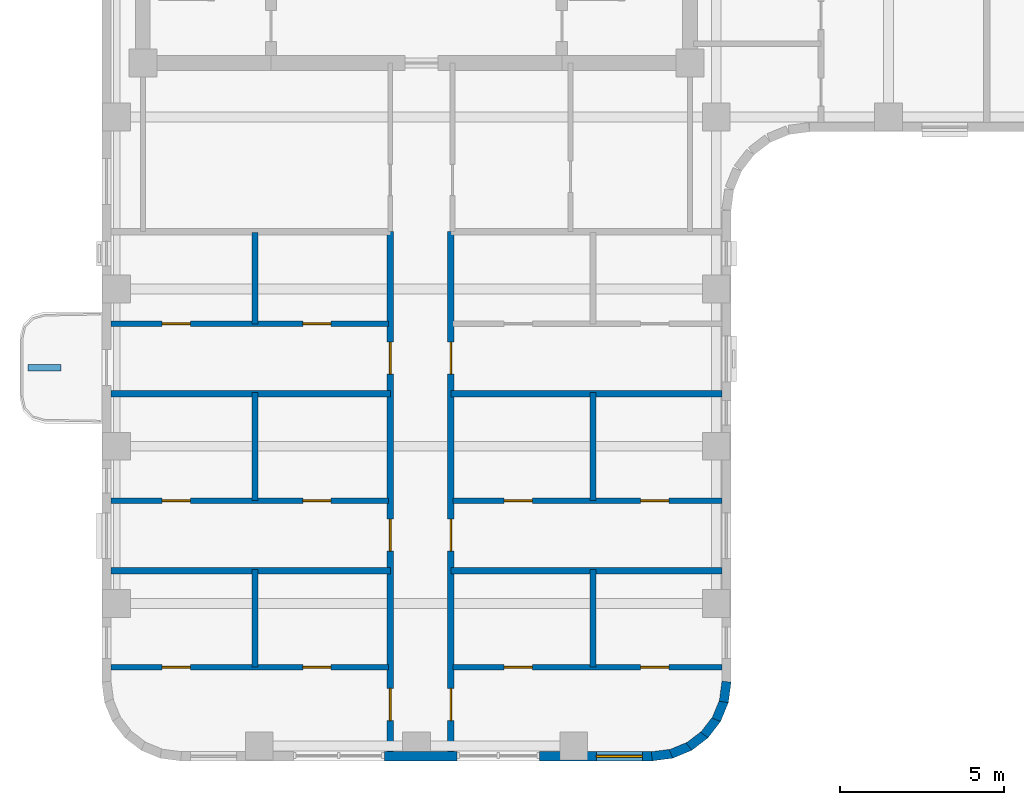
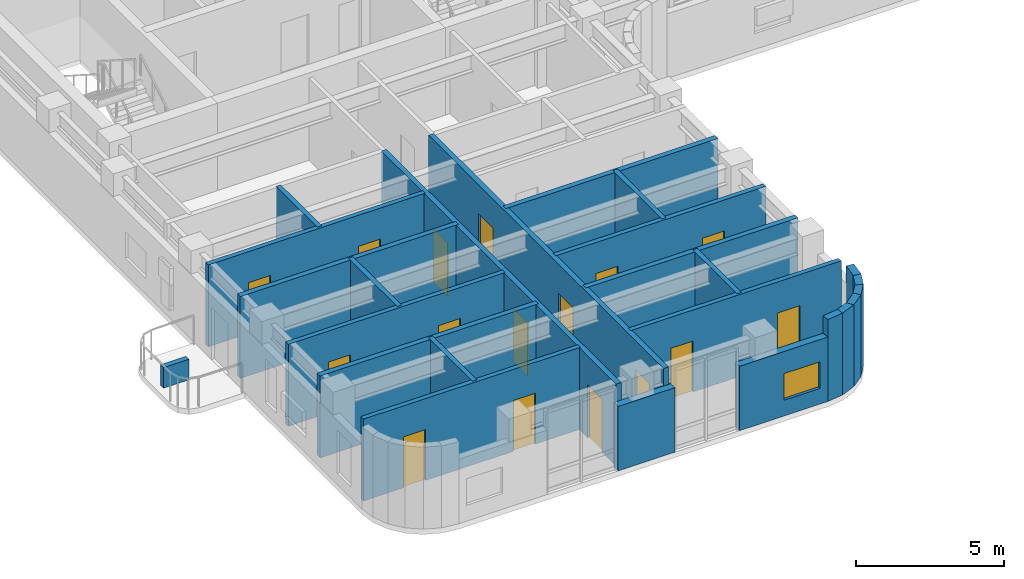
# One storey, part 4 of 12: 25 walls, 16 doors, 1 window, 17 openings.
"""IFC4 building model written with IfcOpenShell, lengths in metres."""

import ifcopenshell
import ifcopenshell.guid

model = None  # the IFC model being written
_history = None  # IfcOwnerHistory: only IFC2X3 demands one
_inside = {}  # id of a spatial element -> (the spatial element, [elements in it])
_under = {}  # id of a project, library or spatial element -> (it, [spatial elements below it])
_declared = {}  # id of a project -> (the project, [libraries it declares])
_typed = {}  # id of a type object -> (the type object, [elements of that type])
_made_of = {}  # id of a material, layer set ... -> (it, [elements and type objects made of it])


def new_model(schema):
    """Start an empty IFC model of exactly this schema.

    Asked for "IFC4X3", IfcOpenShell would pick the latest addendum, in which some entities
    have other attributes; the version numbers below select the first issue.
    IFC2X3 requires an IfcOwnerHistory on every rooted entity: one is made here for all.
    """
    global model, _history
    if schema == "IFC4X3":
        model = ifcopenshell.file(schema_version=(4, 3, 0, 0))
    else:
        model = ifcopenshell.file(schema=schema)
    _inside.clear()
    _under.clear()
    _declared.clear()
    _typed.clear()
    _made_of.clear()
    _history = None
    if model.schema == "IFC2X3":
        org = make("IfcOrganization", Name="unknown")
        user = make(
            "IfcPersonAndOrganization",
            ThePerson=make("IfcPerson", FamilyName="unknown"),
            TheOrganization=org,
        )
        app = make(
            "IfcApplication",
            ApplicationDeveloper=org,
            Version="unknown",
            ApplicationFullName="unknown",
            ApplicationIdentifier="unknown",
        )
        _history = make(
            "IfcOwnerHistory",
            OwningUser=user,
            OwningApplication=app,
            ChangeAction="ADDED",
            CreationDate=0,
        )
    return model


def make(cls, **values):
    """One entity of the class cls with the attributes given. An attribute that is None is left unset."""
    return model.create_entity(
        cls, **{name: value for name, value in values.items() if value is not None}
    )


def rooted(cls, **values):
    """An entity with a GlobalId (a new one), such as an element, a storey or a relation."""
    return make(cls, GlobalId=ifcopenshell.guid.new(), OwnerHistory=_history, **values)


def si_unit(unit_type, name, prefix=None):
    """IfcSIUnit, for example si_unit("LENGTHUNIT", "METRE", prefix="MILLI")."""
    return make("IfcSIUnit", UnitType=unit_type, Prefix=prefix, Name=name)


def assignment(units):
    """IfcUnitAssignment: the units of a project."""
    return None if units is None else make("IfcUnitAssignment", Units=units)


def point(xyz):
    """IfcCartesianPoint."""
    return None if xyz is None else make("IfcCartesianPoint", Coordinates=xyz)


def direction(xyz):
    """IfcDirection."""
    return None if xyz is None else make("IfcDirection", DirectionRatios=xyz)


def frame(location, z_axis=None, x_axis=None):
    """IfcAxis2Placement3D, a coordinate frame: its origin and axes. An axis left out is left unset."""
    return make(
        "IfcAxis2Placement3D",
        Location=point(location),
        Axis=direction(z_axis),
        RefDirection=direction(x_axis),
    )


def frame_2d(location, x_axis=None):
    """IfcAxis2Placement2D, a coordinate frame in the plane: its origin and x axis."""
    return make(
        "IfcAxis2Placement2D", Location=point(location), RefDirection=direction(x_axis)
    )


def origin():
    """The frame at (0, 0, 0) with its axes left unset."""
    return frame((0.0, 0.0, 0.0))


def place(relative_to, where):
    """IfcLocalPlacement: puts the frame where relative to a parent placement (None: the world)."""
    return make(
        "IfcLocalPlacement", PlacementRelTo=relative_to, RelativePlacement=where
    )


def context(
    kind, dimensions, precision=None, world=None, true_north=None, identifier=None
):
    """IfcGeometricRepresentationContext, for example the 3D "Model" context."""
    return make(
        "IfcGeometricRepresentationContext",
        ContextIdentifier=identifier,
        ContextType=kind,
        CoordinateSpaceDimension=dimensions,
        Precision=precision,
        WorldCoordinateSystem=world,
        TrueNorth=true_north,
    )


def subcontext(parent, identifier, kind, view, scale=None):
    """IfcGeometricRepresentationSubContext, for example "Body" below "Model"."""
    return make(
        "IfcGeometricRepresentationSubContext",
        ContextIdentifier=identifier,
        ContextType=kind,
        ParentContext=parent,
        TargetScale=scale,
        TargetView=view,
    )


def project(units=None, contexts=None):
    """IfcProject with its units and contexts."""
    return rooted(
        "IfcProject",
        Name="project",
        RepresentationContexts=contexts,
        UnitsInContext=assignment(units),
    )


def spatial(cls, under=None, at=None, **own):
    """A site, building, storey or space (cls), placed at a placement, below another one or the project."""
    s = rooted(cls, ObjectPlacement=at, **own)
    if under is not None:
        _under.setdefault(under.id(), (under, []))[1].append(s)
    return s


def profile(cls, at=None, kind="AREA", **sizes):
    """A parametric profile (cls). Its sizes go by their IFC names, for example OverallWidth=200.0."""
    return make(cls, ProfileType=kind, Position=at, **sizes)


def rectangle(**sizes):
    """IfcRectangleProfileDef."""
    return profile("IfcRectangleProfileDef", **sizes)


def extrude(swept, where, along, depth):
    """IfcExtrudedAreaSolid: the profile swept, set in the frame where, extruded along a direction by depth."""
    return make(
        "IfcExtrudedAreaSolid",
        SweptArea=swept,
        Position=where,
        ExtrudedDirection=direction(along),
        Depth=depth,
    )


def shape(context_of_items, identifier, shape_type, items):
    """IfcShapeRepresentation: the items that make up one representation, for example the "Body"."""
    return make(
        "IfcShapeRepresentation",
        ContextOfItems=context_of_items,
        RepresentationIdentifier=identifier,
        RepresentationType=shape_type,
        Items=items,
    )


def material(Name=None, Category=None):
    """IfcMaterial."""
    return make("IfcMaterial", Name=Name, Category=Category)


def layer(
    of_material, thickness, ventilated=None, Name=None, Category=None, Priority=None
):
    """IfcMaterialLayer: one layer of a wall or slab, of a material (None: an air gap)."""
    return make(
        "IfcMaterialLayer",
        Material=of_material,
        LayerThickness=thickness,
        IsVentilated=ventilated,
        Name=Name,
        Category=Category,
        Priority=Priority,
    )


def layer_set(layers, Name=None):
    """IfcMaterialLayerSet."""
    return make("IfcMaterialLayerSet", MaterialLayers=layers, LayerSetName=Name)


def made_of(thing, what):
    """Note that an element or type object is made of a material, layer set ...; save() writes the relation."""
    if what is not None:
        _made_of.setdefault(what.id(), (what, []))[1].append(thing)
    return thing


def type_object(cls, material=None, **own):
    """A type object (cls), such as IfcWallType, which elements share."""
    return made_of(rooted(cls, **own), material)


def element(
    cls,
    number,
    at=None,
    inside=None,
    cuts=None,
    type_object=None,
    material=None,
    context=None,
    identifier="Body",
    shape_type=None,
    held_by="IfcProductDefinitionShape",
    body=None,
    shapes=None,
    **own,
):
    """One element of the class cls, such as IfcWall. Its Tag is "e" and its number.

    at: its placement. inside: the storey or other place that contains it. cuts: it is an
    opening in that element (IfcRelVoidsElement). A single representation is given by context,
    identifier, shape_type and body (its items); several are given by shapes. held_by: the class
    of the entity that holds the representations. save() writes the other relations.
    """
    e = rooted(cls, Tag="e%d" % number, ObjectPlacement=at, **own)
    if body is not None:
        shapes = [shape(context, identifier, shape_type, body)]
    if shapes is not None:
        e.Representation = make(held_by, Representations=shapes)
    if inside is not None:
        _inside.setdefault(inside.id(), (inside, []))[1].append(e)
    if cuts is not None:
        rooted(
            "IfcRelVoidsElement", RelatingBuildingElement=cuts, RelatedOpeningElement=e
        )
    if type_object is not None:
        _typed.setdefault(type_object.id(), (type_object, []))[1].append(e)
    return made_of(e, material)


def fill(opening, filler):
    """IfcRelFillsElement: the door or window that sits in an opening."""
    return rooted(
        "IfcRelFillsElement",
        RelatingOpeningElement=opening,
        RelatedBuildingElement=filler,
    )


def aggregate(whole, parts):
    """IfcRelAggregates: a whole, such as a stair, and the parts it consists of."""
    return rooted("IfcRelAggregates", RelatingObject=whole, RelatedObjects=parts)


def save(model, path):
    """Write the relations noted so far, then the file.

    IfcRelAggregates (storeys below a building ...), IfcRelContainedInSpatialStructure (elements
    in a storey), IfcRelDefinesByType, IfcRelAssociatesMaterial and IfcRelDeclares: one each for
    every whole, place, type object, material and project.
    """
    for whole, parts in _under.values():
        aggregate(whole, parts)
    for where, things in _inside.values():
        rooted(
            "IfcRelContainedInSpatialStructure",
            RelatedElements=things,
            RelatingStructure=where,
        )
    for kind, things in _typed.values():
        rooted("IfcRelDefinesByType", RelatedObjects=things, RelatingType=kind)
    for what, things in _made_of.values():
        rooted("IfcRelAssociatesMaterial", RelatedObjects=things, RelatingMaterial=what)
    for by, libraries in _declared.values():
        rooted("IfcRelDeclares", RelatingContext=by, RelatedDefinitions=libraries)
    model.write(path)


model = new_model("IFC4")

# Units and contexts
model_context = context("Model", 3, precision=1e-05, world=origin(), true_north=direction((0.0, 1.0)))
body_context = subcontext(model_context, "Body", "Model", "MODEL_VIEW")
ifc_project = project(units=[si_unit("LENGTHUNIT", "METRE"), si_unit("AREAUNIT", "SQUARE_METRE"), si_unit("VOLUMEUNIT", "CUBIC_METRE"), si_unit("PLANEANGLEUNIT", "RADIAN"), si_unit("MASSUNIT", "GRAM", prefix="KILO")], contexts=[model_context])

# Site, building, storey
site_placement = place(None, origin())
site = spatial("IfcSite", under=ifc_project, at=site_placement, CompositionType="ELEMENT")
building_placement = place(site_placement, origin())
building = spatial("IfcBuilding", under=site, at=building_placement, Name="Orvandelia Arch Residences", CompositionType="ELEMENT")
storey_placement = place(building_placement, frame((0.0, 0.0, 214.60009765625)))
storey = spatial("IfcBuildingStorey", under=building, at=storey_placement, Name="L56", CompositionType="ELEMENT", Elevation=214.60009765625)

# Wall, openings, doors
ifc_material_1 = material(Name="Fire-Rated Corridor Partition")
ifc_layer_1 = layer(ifc_material_1, 0.199951171875, Name="Fire-Rated Corridor Partition")
ifc_layer_set_1 = layer_set([ifc_layer_1], Name="Fire-Rated Corridor Partition")
wall_type_1 = type_object("IfcWallType", Name="WL-CORR-200", PredefinedType="PARTITIONING", material=ifc_layer_set_1)
wall_1_placement = place(storey_placement, frame((13.60009765625, 9.8798828125, 0.0), z_axis=(0.0, 0.0, 1.0), x_axis=(0.0, 1.0, 0.0)))
wall_1 = element("IfcWall", 1, at=wall_1_placement, inside=storey, type_object=wall_type_1, Name="Interior Partition Wall WL-L56-WC-W", PredefinedType="PARTITIONING", context=body_context, shape_type="SweptSolid", body=[
    extrude(rectangle(XDim=15.8701171875, YDim=0.199951171875, at=frame_2d((7.93505859375, 0.0))), origin(), (0.0, 0.0, 1.0), 3.3798828125),
])
opening_1_placement = place(wall_1_placement, frame((0.948974609375, 0.0, 0.0)))
opening_1 = element("IfcOpeningElement", 2, at=opening_1_placement, cuts=wall_1, Name="Opening D1", PredefinedType="OPENING", context=body_context, shape_type="SweptSolid", body=[
    extrude(rectangle(XDim=0.97998046875, YDim=2.179931640625, at=frame_2d((0.489990234375, 1.08984375))), frame((0.0, 0.10986328125, 0.0), z_axis=(0.0, -1.0, 0.0), x_axis=(1.0, 0.0, 0.0)), (0.0, 0.0, 1.0), 0.219970703125),
])
opening_2_placement = place(wall_1_placement, frame((6.1201171875, 0.0, 0.0)))
opening_2 = element("IfcOpeningElement", 3, at=opening_2_placement, cuts=wall_1, Name="Opening D1", PredefinedType="OPENING", context=body_context, shape_type="SweptSolid", body=[
    extrude(rectangle(XDim=0.97998046875, YDim=2.179931640625, at=frame_2d((0.489990234375, 1.08984375))), frame((0.0, 0.10986328125, 0.0), z_axis=(0.0, -1.0, 0.0), x_axis=(1.0, 0.0, 0.0)), (0.0, 0.0, 1.0), 0.219970703125),
])
opening_3_placement = place(wall_1_placement, frame((11.52001953125, 0.0, 0.0)))
opening_3 = element("IfcOpeningElement", 4, at=opening_3_placement, cuts=wall_1, Name="Opening D1", PredefinedType="OPENING", context=body_context, shape_type="SweptSolid", body=[
    extrude(rectangle(XDim=0.97998046875, YDim=2.179931640625, at=frame_2d((0.489990234375, 1.08984375))), frame((0.0, 0.10986328125, 0.0), z_axis=(0.0, -1.0, 0.0), x_axis=(1.0, 0.0, 0.0)), (0.0, 0.0, 1.0), 0.219970703125),
])
ifc_material_2 = material(Name="Solid-Core Timber Acoustic Fire Door", Category="wood")
door_type_1 = type_object("IfcDoorType", Name="DR-ENT-980", OperationType="NOTDEFINED", PredefinedType="DOOR", material=ifc_material_2)
door_1_placement = place(opening_1_placement, origin())
door_1 = element("IfcDoor", 5, at=door_1_placement, inside=storey, type_object=door_type_1, Name="Unit L56-01 Entrance Door", OperationType="SINGLE_SWING_LEFT", OverallHeight=2.179931640625, OverallWidth=0.97998046875, PredefinedType="DOOR", context=body_context, shape_type="SweptSolid", body=[
    extrude(rectangle(XDim=0.97998046875, YDim=2.179931640625, at=frame_2d((0.489990234375, 1.08984375))), frame((0.0, 0.02490234375, 0.0), z_axis=(0.0, -1.0, 0.0), x_axis=(1.0, 0.0, 0.0)), (0.0, 0.0, 1.0), 0.050048828125),
])
fill(opening_1, door_1)
door_2_placement = place(opening_2_placement, origin())
door_2 = element("IfcDoor", 6, at=door_2_placement, inside=storey, type_object=door_type_1, Name="Unit L56-02 Entrance Door", OperationType="SINGLE_SWING_RIGHT", OverallHeight=2.179931640625, OverallWidth=0.97998046875, PredefinedType="DOOR", context=body_context, shape_type="SweptSolid", body=[
    extrude(rectangle(XDim=0.97998046875, YDim=2.179931640625, at=frame_2d((0.489990234375, 1.08984375))), frame((0.0, 0.02490234375, 0.0), z_axis=(0.0, -1.0, 0.0), x_axis=(1.0, 0.0, 0.0)), (0.0, 0.0, 1.0), 0.050048828125),
])
fill(opening_2, door_2)
door_3_placement = place(opening_3_placement, origin())
door_3 = element("IfcDoor", 7, at=door_3_placement, inside=storey, type_object=door_type_1, Name="Unit L56-03 Entrance Door", OperationType="SINGLE_SWING_LEFT", OverallHeight=2.179931640625, OverallWidth=0.97998046875, PredefinedType="DOOR", context=body_context, shape_type="SweptSolid", body=[
    extrude(rectangle(XDim=0.97998046875, YDim=2.179931640625, at=frame_2d((0.489990234375, 1.08984375))), frame((0.0, 0.02490234375, 0.0), z_axis=(0.0, -1.0, 0.0), x_axis=(1.0, 0.0, 0.0)), (0.0, 0.0, 1.0), 0.050048828125),
])
fill(opening_3, door_3)

wall_2_placement = place(storey_placement, frame((15.449951171875, 9.8798828125, 0.0), z_axis=(0.0, 0.0, 1.0), x_axis=(0.0, 1.0, 0.0)))
wall_2 = element("IfcWall", 8, at=wall_2_placement, inside=storey, type_object=wall_type_1, Name="Interior Partition Wall WL-L56-WC-E", PredefinedType="PARTITIONING", context=body_context, shape_type="SweptSolid", body=[
    extrude(rectangle(XDim=15.8701171875, YDim=0.199951171875, at=frame_2d((7.93505859375, 0.0))), origin(), (0.0, 0.0, 1.0), 3.3798828125),
])
opening_4_placement = place(wall_2_placement, frame((0.948974609375, 0.0, 0.0)))
opening_4 = element("IfcOpeningElement", 9, at=opening_4_placement, cuts=wall_2, Name="Opening D1", PredefinedType="OPENING", context=body_context, shape_type="SweptSolid", body=[
    extrude(rectangle(XDim=0.97998046875, YDim=2.179931640625, at=frame_2d((0.489990234375, 1.08984375))), frame((0.0, 0.10986328125, 0.0), z_axis=(0.0, -1.0, 0.0), x_axis=(1.0, 0.0, 0.0)), (0.0, 0.0, 1.0), 0.219970703125),
])
opening_5_placement = place(wall_2_placement, frame((6.1201171875, 0.0, 0.0)))
opening_5 = element("IfcOpeningElement", 10, at=opening_5_placement, cuts=wall_2, Name="Opening D1", PredefinedType="OPENING", context=body_context, shape_type="SweptSolid", body=[
    extrude(rectangle(XDim=0.97998046875, YDim=2.179931640625, at=frame_2d((0.489990234375, 1.08984375))), frame((0.0, 0.10986328125, 0.0), z_axis=(0.0, -1.0, 0.0), x_axis=(1.0, 0.0, 0.0)), (0.0, 0.0, 1.0), 0.219970703125),
])
opening_6_placement = place(wall_2_placement, frame((11.52001953125, 0.0, 0.0)))
opening_6 = element("IfcOpeningElement", 11, at=opening_6_placement, cuts=wall_2, Name="Opening D1", PredefinedType="OPENING", context=body_context, shape_type="SweptSolid", body=[
    extrude(rectangle(XDim=0.97998046875, YDim=2.179931640625, at=frame_2d((0.489990234375, 1.08984375))), frame((0.0, 0.10986328125, 0.0), z_axis=(0.0, -1.0, 0.0), x_axis=(1.0, 0.0, 0.0)), (0.0, 0.0, 1.0), 0.219970703125),
])
door_4_placement = place(opening_4_placement, origin())
door_4 = element("IfcDoor", 12, at=door_4_placement, inside=storey, type_object=door_type_1, Name="Unit L56-04 Entrance Door", OperationType="SINGLE_SWING_RIGHT", OverallHeight=2.179931640625, OverallWidth=0.97998046875, PredefinedType="DOOR", context=body_context, shape_type="SweptSolid", body=[
    extrude(rectangle(XDim=0.97998046875, YDim=2.179931640625, at=frame_2d((0.489990234375, 1.08984375))), frame((0.0, 0.02490234375, 0.0), z_axis=(0.0, -1.0, 0.0), x_axis=(1.0, 0.0, 0.0)), (0.0, 0.0, 1.0), 0.050048828125),
])
fill(opening_4, door_4)
door_5_placement = place(opening_5_placement, origin())
door_5 = element("IfcDoor", 13, at=door_5_placement, inside=storey, type_object=door_type_1, Name="Unit L56-05 Entrance Door", OperationType="SINGLE_SWING_LEFT", OverallHeight=2.179931640625, OverallWidth=0.97998046875, PredefinedType="DOOR", context=body_context, shape_type="SweptSolid", body=[
    extrude(rectangle(XDim=0.97998046875, YDim=2.179931640625, at=frame_2d((0.489990234375, 1.08984375))), frame((0.0, 0.02490234375, 0.0), z_axis=(0.0, -1.0, 0.0), x_axis=(1.0, 0.0, 0.0)), (0.0, 0.0, 1.0), 0.050048828125),
])
fill(opening_5, door_5)
door_6_placement = place(opening_6_placement, origin())
door_6 = element("IfcDoor", 14, at=door_6_placement, inside=storey, type_object=door_type_1, Name="Unit L56-06 Entrance Door", OperationType="SINGLE_SWING_RIGHT", OverallHeight=2.179931640625, OverallWidth=0.97998046875, PredefinedType="DOOR", context=body_context, shape_type="SweptSolid", body=[
    extrude(rectangle(XDim=0.97998046875, YDim=2.179931640625, at=frame_2d((0.489990234375, 1.08984375))), frame((0.0, 0.02490234375, 0.0), z_axis=(0.0, -1.0, 0.0), x_axis=(1.0, 0.0, 0.0)), (0.0, 0.0, 1.0), 0.050048828125),
])
fill(opening_6, door_6)

# Walls
ifc_material_3 = material(Name="Concrete C40/50", Category="concrete")
ifc_layer_2 = layer(ifc_material_3, 0.199951171875, Name="Concrete C40/50", Category="concrete")
ifc_layer_set_2 = layer_set([ifc_layer_2], Name="Concrete C40/50")
wall_type_2 = type_object("IfcWallType", Name="WL-DEM-200", PredefinedType="SOLIDWALL", material=ifc_layer_set_2)
for number, where, z_axis, x_axis, name in (
    (15, (5.080078125, 15.39990234375, 0.0), (0.0, 0.0, 1.0), (1.0, 0.0, 0.0), "Interior Partition Wall WL-L56-DEM-WL-154"),
    (16, (5.080078125, 20.800048828125, 0.0), (0.0, 0.0, 1.0), (1.0, 0.0, 0.0), "Interior Partition Wall WL-L56-DEM-WL-208"),
):
    element("IfcWall", number, at=place(storey_placement, frame(where, z_axis=z_axis, x_axis=x_axis)), inside=storey, type_object=wall_type_2, Name=name, PredefinedType="SOLIDWALL", context=body_context, shape_type="SweptSolid", body=[
        extrude(rectangle(XDim=8.52001953125, YDim=0.199951171875, at=frame_2d((4.260009765625, 0.0))), origin(), (0.0, 0.0, 1.0), 3.3798828125),
    ])
for number, where, z_axis, x_axis, name in (
    (17, (15.449951171875, 15.39990234375, 0.0), (0.0, 0.0, 1.0), (1.0, 0.0, 0.0), "Interior Partition Wall WL-L56-DEM-WR-154"),
    (18, (15.449951171875, 20.800048828125, 0.0), (0.0, 0.0, 1.0), (1.0, 0.0, 0.0), "Interior Partition Wall WL-L56-DEM-WR-208"),
):
    element("IfcWall", number, at=place(storey_placement, frame(where, z_axis=z_axis, x_axis=x_axis)), inside=storey, type_object=wall_type_2, Name=name, PredefinedType="SOLIDWALL", context=body_context, shape_type="SweptSolid", body=[
        extrude(rectangle(XDim=8.27001953125, YDim=0.199951171875, at=frame_2d((4.135009765625, 0.0))), origin(), (0.0, 0.0, 1.0), 3.3798828125),
    ])
ifc_material_4 = material(Name="Precast concrete C40/50", Category="concrete")
ifc_layer_3 = layer(ifc_material_4, 0.280029296875, Name="Precast concrete C40/50", Category="concrete")
ifc_layer_set_3 = layer_set([ifc_layer_3], Name="Precast concrete C40/50")
wall_type_3 = type_object("IfcWallType", Name="WL-EXT-STONE-280", PredefinedType="STANDARD", material=ifc_layer_set_3)
for number, where, z_axis, x_axis, name in (
    (19, (23.861083984375, 12.018310546875, 0.0), (0.0, 0.0, 1.0), (-0.130555323746, -0.9914410257, 0.0), "Coral-Limestone Precast Facade Wall L56-029"),
    (20, (23.788818359375, 11.432373046875, 0.0), (0.0, 0.0, 1.0), (-0.382317370307, -0.924031075431, 0.0), "Coral-Limestone Precast Facade Wall L56-030"),
    (21, (23.5673828125, 10.88525390625, 0.0), (0.0, 0.0, 1.0), (-0.608693302629, -0.793405610854, 0.0), "Coral-Limestone Precast Facade Wall L56-031"),
    (22, (23.2119140625, 10.4140625, 0.0), (0.0, 0.0, 1.0), (-0.793405610854, -0.608693302629, 0.0), "Coral-Limestone Precast Facade Wall L56-032"),
    (23, (22.746337890625, 10.05078125, 0.0), (0.0, 0.0, 1.0), (-0.92389335771, -0.382650053678, 0.0), "Coral-Limestone Precast Facade Wall L56-033"),
    (24, (22.202880859375, 9.820556640625, 0.0), (0.0, 0.0, 1.0), (-0.9914410257, -0.130555323746, 0.0), "Coral-Limestone Precast Facade Wall L56-034"),
):
    element("IfcWall", number, at=place(storey_placement, frame(where, z_axis=z_axis, x_axis=x_axis)), inside=storey, type_object=wall_type_3, Name=name, PredefinedType="STANDARD", context=body_context, shape_type="SweptSolid", body=[
        extrude(rectangle(XDim=0.62646484375, YDim=0.280029296875, at=frame_2d((0.313232421875, 0.0))), origin(), (0.0, 0.0, 1.0), 3.3798828125),
    ])

# Wall, opening, window
wall_3_placement = place(storey_placement, frame((21.60009765625, 9.739990234375, 0.0), z_axis=(0.0, 0.0, 1.0), x_axis=(-1.0, 0.0, 0.0)))
wall_3 = element("IfcWall", 25, at=wall_3_placement, inside=storey, type_object=wall_type_3, Name="Coral-Limestone Precast Facade Wall L56-035", PredefinedType="STANDARD", context=body_context, shape_type="SweptSolid", body=[
    extrude(rectangle(XDim=3.440185546875, YDim=0.280029296875, at=frame_2d((1.72021484375, 0.0))), origin(), (0.0, 0.0, 1.0), 2.659912109375),
])
opening_7_placement = place(wall_3_placement, frame((0.3076171875, 0.0, 0.64990234375)))
opening_7 = element("IfcOpeningElement", 26, at=opening_7_placement, cuts=wall_3, Name="Opening W10", PredefinedType="OPENING", context=body_context, shape_type="SweptSolid", body=[
    extrude(rectangle(XDim=1.39990234375, YDim=1.10009765625, at=frame_2d((0.699951171875, 0.550048828125))), frame((0.0, 0.14990234375, 0.0), z_axis=(0.0, -1.0, 0.0), x_axis=(1.0, 0.0, 0.0)), (0.0, 0.0, 1.0), 0.300048828125),
])
ifc_material_5 = material(Name="Tempered Low-E Insulated Glazing", Category="glass")
window_type = type_object("IfcWindowType", Name="WIN-CLR-1400x1100", PartitioningType="SINGLE_PANEL", PredefinedType="WINDOW", material=ifc_material_5)
window_placement = place(opening_7_placement, origin())
window = element("IfcWindow", 27, at=window_placement, inside=storey, type_object=window_type, Name="Recessed Punched Window L56-022", OverallHeight=1.10009765625, OverallWidth=1.39990234375, PartitioningType="SINGLE_PANEL", PredefinedType="WINDOW", context=body_context, shape_type="SweptSolid", body=[
    extrude(rectangle(XDim=1.39990234375, YDim=1.10009765625, at=frame_2d((0.699951171875, 0.550048828125))), frame((0.0, 0.030029296875, 0.0), z_axis=(0.0, -1.0, 0.0), x_axis=(1.0, 0.0, 0.0)), (0.0, 0.0, 1.0), 0.06005859375),
])
fill(opening_7, window)

# Walls
wall_4_placement = place(storey_placement, frame((15.6298828125, 9.739990234375, 0.0), z_axis=(0.0, 0.0, 1.0), x_axis=(-1.0, 0.0, 0.0)))
element("IfcWall", 28, at=wall_4_placement, inside=storey, type_object=wall_type_3, Name="Coral-Limestone Precast Facade Wall L56-036", PredefinedType="STANDARD", context=body_context, shape_type="SweptSolid", body=[
    extrude(rectangle(XDim=2.2099609375, YDim=0.280029296875, at=frame_2d((1.10498046875, 0.0))), origin(), (0.0, 0.0, 1.0), 2.659912109375),
])
ifc_layer_4 = layer(ifc_material_4, 0.199951171875, Name="Precast concrete C40/50", Category="concrete")
ifc_layer_set_4 = layer_set([ifc_layer_4], Name="Precast concrete C40/50")
wall_type_4 = type_object("IfcWallType", Name="WL-PLANTER-200", PredefinedType="MOVABLE", material=ifc_layer_set_4)
wall_5_placement = place(storey_placement, frame((2.550048828125, 21.60009765625, 0.0), z_axis=(0.0, 0.0, 1.0), x_axis=(1.0, 0.0, 0.0)))
element("IfcWall", 29, at=wall_5_placement, inside=storey, type_object=wall_type_4, Name="Balcony Precast Tree Planter BAL-L56-W1", PredefinedType="MOVABLE", context=body_context, shape_type="SweptSolid", body=[
    extrude(rectangle(XDim=1.0, YDim=0.199951171875, at=frame_2d((0.5, 0.0))), origin(), (0.0, 0.0, 1.0), 0.849853515625),
])

# Wall, openings, doors
ifc_material_6 = material(Name="Moisture-Resistant Plumbing Wall")
ifc_layer_5 = layer(ifc_material_6, 0.179931640625, Name="Moisture-Resistant Plumbing Wall")
ifc_layer_set_5 = layer_set([ifc_layer_5], Name="Moisture-Resistant Plumbing Wall")
wall_type_5 = type_object("IfcWallType", Name="WL-WET-180", PredefinedType="PLUMBINGWALL", material=ifc_layer_set_5)
wall_6_placement = place(storey_placement, frame((5.080078125, 12.4580078125, 0.0), z_axis=(0.0, 0.0, 1.0), x_axis=(1.0, 0.0, 0.0)))
wall_6 = element("IfcWall", 30, at=wall_6_placement, inside=storey, type_object=wall_type_5, Name="Interior Partition Wall WL-L56-U01-HZ", PredefinedType="PLUMBINGWALL", context=body_context, shape_type="SweptSolid", body=[
    extrude(rectangle(XDim=8.4599609375, YDim=0.179931640625, at=frame_2d((4.22998046875, 0.0))), origin(), (0.0, 0.0, 1.0), 3.3798828125),
])
opening_8_placement = place(wall_6_placement, frame((1.56005859375, 0.0, 0.0)))
opening_8 = element("IfcOpeningElement", 31, at=opening_8_placement, cuts=wall_6, Name="Opening D4", PredefinedType="OPENING", context=body_context, shape_type="SweptSolid", body=[
    extrude(rectangle(XDim=0.860107421875, YDim=2.10009765625, at=frame_2d((0.43017578125, 1.050048828125))), frame((0.0, 0.10009765625, 0.0), z_axis=(0.0, -1.0, 0.0), x_axis=(1.0, 0.0, 0.0)), (0.0, 0.0, 1.0), 0.199951171875),
])
opening_9_placement = place(wall_6_placement, frame((5.85009765625, 0.0, 0.0)))
opening_9 = element("IfcOpeningElement", 32, at=opening_9_placement, cuts=wall_6, Name="Opening D4", PredefinedType="OPENING", context=body_context, shape_type="SweptSolid", body=[
    extrude(rectangle(XDim=0.860107421875, YDim=2.10009765625, at=frame_2d((0.43017578125, 1.050048828125))), frame((0.0, 0.10009765625, 0.0), z_axis=(0.0, -1.0, 0.0), x_axis=(1.0, 0.0, 0.0)), (0.0, 0.0, 1.0), 0.199951171875),
])
ifc_material_7 = material(Name="Moisture-Sealed Timber Bathroom Door", Category="wood")
door_type_2 = type_object("IfcDoorType", Name="DR-WET-900", OperationType="NOTDEFINED", PredefinedType="DOOR", material=ifc_material_7)
door_7_placement = place(opening_8_placement, origin())
door_7 = element("IfcDoor", 33, at=door_7_placement, inside=storey, type_object=door_type_2, Name="DR-L56-U01-KIT", OperationType="SINGLE_SWING_LEFT", OverallHeight=2.10009765625, OverallWidth=0.860107421875, PredefinedType="DOOR", context=body_context, shape_type="SweptSolid", body=[
    extrude(rectangle(XDim=0.860107421875, YDim=2.10009765625, at=frame_2d((0.43017578125, 1.050048828125))), frame((0.0, 0.02490234375, 0.0), z_axis=(0.0, -1.0, 0.0), x_axis=(1.0, 0.0, 0.0)), (0.0, 0.0, 1.0), 0.050048828125),
])
fill(opening_8, door_7)
door_8_placement = place(opening_9_placement, origin())
door_8 = element("IfcDoor", 34, at=door_8_placement, inside=storey, type_object=door_type_2, Name="DR-L56-U01-BTH", OperationType="SINGLE_SWING_RIGHT", OverallHeight=2.10009765625, OverallWidth=0.860107421875, PredefinedType="DOOR", context=body_context, shape_type="SweptSolid", body=[
    extrude(rectangle(XDim=0.860107421875, YDim=2.10009765625, at=frame_2d((0.43017578125, 1.050048828125))), frame((0.0, 0.02490234375, 0.0), z_axis=(0.0, -1.0, 0.0), x_axis=(1.0, 0.0, 0.0)), (0.0, 0.0, 1.0), 0.050048828125),
])
fill(opening_9, door_8)

# Wall
wall_7_placement = place(storey_placement, frame((9.469970703125, 12.4580078125, 0.0), z_axis=(0.0, 0.0, 1.0), x_axis=(0.0, 1.0, 0.0)))
element("IfcWall", 35, at=wall_7_placement, inside=storey, type_object=wall_type_5, Name="Interior Partition Wall WL-L56-U01-V1", PredefinedType="PLUMBINGWALL", context=body_context, shape_type="SweptSolid", body=[
    extrude(rectangle(XDim=2.98193359375, YDim=0.179931640625, at=frame_2d((1.490966796875, 0.0))), origin(), (0.0, 0.0, 1.0), 3.3798828125),
])

# Wall, openings, doors
wall_8_placement = place(storey_placement, frame((5.080078125, 17.5400390625, 0.0), z_axis=(0.0, 0.0, 1.0), x_axis=(1.0, 0.0, 0.0)))
wall_8 = element("IfcWall", 36, at=wall_8_placement, inside=storey, type_object=wall_type_5, Name="Interior Partition Wall WL-L56-U02-HZ", PredefinedType="PLUMBINGWALL", context=body_context, shape_type="SweptSolid", body=[
    extrude(rectangle(XDim=8.4599609375, YDim=0.179931640625, at=frame_2d((4.22998046875, 0.0))), origin(), (0.0, 0.0, 1.0), 3.3798828125),
])
opening_10_placement = place(wall_8_placement, frame((1.56005859375, 0.0, 0.0)))
opening_10 = element("IfcOpeningElement", 37, at=opening_10_placement, cuts=wall_8, Name="Opening D4", PredefinedType="OPENING", context=body_context, shape_type="SweptSolid", body=[
    extrude(rectangle(XDim=0.860107421875, YDim=2.10009765625, at=frame_2d((0.43017578125, 1.050048828125))), frame((0.0, 0.10009765625, 0.0), z_axis=(0.0, -1.0, 0.0), x_axis=(1.0, 0.0, 0.0)), (0.0, 0.0, 1.0), 0.199951171875),
])
opening_11_placement = place(wall_8_placement, frame((5.85009765625, 0.0, 0.0)))
opening_11 = element("IfcOpeningElement", 38, at=opening_11_placement, cuts=wall_8, Name="Opening D4", PredefinedType="OPENING", context=body_context, shape_type="SweptSolid", body=[
    extrude(rectangle(XDim=0.860107421875, YDim=2.10009765625, at=frame_2d((0.43017578125, 1.050048828125))), frame((0.0, 0.10009765625, 0.0), z_axis=(0.0, -1.0, 0.0), x_axis=(1.0, 0.0, 0.0)), (0.0, 0.0, 1.0), 0.199951171875),
])
door_9_placement = place(opening_10_placement, origin())
door_9 = element("IfcDoor", 39, at=door_9_placement, inside=storey, type_object=door_type_2, Name="DR-L56-U02-KIT", OperationType="SINGLE_SWING_RIGHT", OverallHeight=2.10009765625, OverallWidth=0.860107421875, PredefinedType="DOOR", context=body_context, shape_type="SweptSolid", body=[
    extrude(rectangle(XDim=0.860107421875, YDim=2.10009765625, at=frame_2d((0.43017578125, 1.050048828125))), frame((0.0, 0.02490234375, 0.0), z_axis=(0.0, -1.0, 0.0), x_axis=(1.0, 0.0, 0.0)), (0.0, 0.0, 1.0), 0.050048828125),
])
fill(opening_10, door_9)
door_10_placement = place(opening_11_placement, origin())
door_10 = element("IfcDoor", 40, at=door_10_placement, inside=storey, type_object=door_type_2, Name="DR-L56-U02-BTH", OperationType="SINGLE_SWING_LEFT", OverallHeight=2.10009765625, OverallWidth=0.860107421875, PredefinedType="DOOR", context=body_context, shape_type="SweptSolid", body=[
    extrude(rectangle(XDim=0.860107421875, YDim=2.10009765625, at=frame_2d((0.43017578125, 1.050048828125))), frame((0.0, 0.02490234375, 0.0), z_axis=(0.0, -1.0, 0.0), x_axis=(1.0, 0.0, 0.0)), (0.0, 0.0, 1.0), 0.050048828125),
])
fill(opening_11, door_10)

# Wall
wall_9_placement = place(storey_placement, frame((9.469970703125, 17.5400390625, 0.0), z_axis=(0.0, 0.0, 1.0), x_axis=(0.0, 1.0, 0.0)))
element("IfcWall", 41, at=wall_9_placement, inside=storey, type_object=wall_type_5, Name="Interior Partition Wall WL-L56-U02-V1", PredefinedType="PLUMBINGWALL", context=body_context, shape_type="SweptSolid", body=[
    extrude(rectangle(XDim=3.300048828125, YDim=0.179931640625, at=frame_2d((1.64990234375, 0.0))), origin(), (0.0, 0.0, 1.0), 3.3798828125),
])

# Wall, openings, doors
wall_10_placement = place(storey_placement, frame((5.080078125, 22.93994140625, 0.0), z_axis=(0.0, 0.0, 1.0), x_axis=(1.0, 0.0, 0.0)))
wall_10 = element("IfcWall", 42, at=wall_10_placement, inside=storey, type_object=wall_type_5, Name="Interior Partition Wall WL-L56-U03-HZ", PredefinedType="PLUMBINGWALL", context=body_context, shape_type="SweptSolid", body=[
    extrude(rectangle(XDim=8.4599609375, YDim=0.179931640625, at=frame_2d((4.22998046875, 0.0))), origin(), (0.0, 0.0, 1.0), 3.3798828125),
])
opening_12_placement = place(wall_10_placement, frame((1.56005859375, 0.0, 0.0)))
opening_12 = element("IfcOpeningElement", 43, at=opening_12_placement, cuts=wall_10, Name="Opening D4", PredefinedType="OPENING", context=body_context, shape_type="SweptSolid", body=[
    extrude(rectangle(XDim=0.860107421875, YDim=2.10009765625, at=frame_2d((0.43017578125, 1.050048828125))), frame((0.0, 0.10009765625, 0.0), z_axis=(0.0, -1.0, 0.0), x_axis=(1.0, 0.0, 0.0)), (0.0, 0.0, 1.0), 0.199951171875),
])
opening_13_placement = place(wall_10_placement, frame((5.85009765625, 0.0, 0.0)))
opening_13 = element("IfcOpeningElement", 44, at=opening_13_placement, cuts=wall_10, Name="Opening D4", PredefinedType="OPENING", context=body_context, shape_type="SweptSolid", body=[
    extrude(rectangle(XDim=0.860107421875, YDim=2.10009765625, at=frame_2d((0.43017578125, 1.050048828125))), frame((0.0, 0.10009765625, 0.0), z_axis=(0.0, -1.0, 0.0), x_axis=(1.0, 0.0, 0.0)), (0.0, 0.0, 1.0), 0.199951171875),
])
door_11_placement = place(opening_12_placement, origin())
door_11 = element("IfcDoor", 45, at=door_11_placement, inside=storey, type_object=door_type_2, Name="DR-L56-U03-KIT", OperationType="SINGLE_SWING_LEFT", OverallHeight=2.10009765625, OverallWidth=0.860107421875, PredefinedType="DOOR", context=body_context, shape_type="SweptSolid", body=[
    extrude(rectangle(XDim=0.860107421875, YDim=2.10009765625, at=frame_2d((0.43017578125, 1.050048828125))), frame((0.0, 0.02490234375, 0.0), z_axis=(0.0, -1.0, 0.0), x_axis=(1.0, 0.0, 0.0)), (0.0, 0.0, 1.0), 0.050048828125),
])
fill(opening_12, door_11)
door_12_placement = place(opening_13_placement, origin())
door_12 = element("IfcDoor", 46, at=door_12_placement, inside=storey, type_object=door_type_2, Name="DR-L56-U03-BTH", OperationType="SINGLE_SWING_RIGHT", OverallHeight=2.10009765625, OverallWidth=0.860107421875, PredefinedType="DOOR", context=body_context, shape_type="SweptSolid", body=[
    extrude(rectangle(XDim=0.860107421875, YDim=2.10009765625, at=frame_2d((0.43017578125, 1.050048828125))), frame((0.0, 0.02490234375, 0.0), z_axis=(0.0, -1.0, 0.0), x_axis=(1.0, 0.0, 0.0)), (0.0, 0.0, 1.0), 0.050048828125),
])
fill(opening_13, door_12)

# Wall
wall_11_placement = place(storey_placement, frame((9.469970703125, 22.93994140625, 0.0), z_axis=(0.0, 0.0, 1.0), x_axis=(0.0, 1.0, 0.0)))
element("IfcWall", 47, at=wall_11_placement, inside=storey, type_object=wall_type_5, Name="Interior Partition Wall WL-L56-U03-V1", PredefinedType="PLUMBINGWALL", context=body_context, shape_type="SweptSolid", body=[
    extrude(rectangle(XDim=2.780029296875, YDim=0.179931640625, at=frame_2d((1.39013671875, 0.0))), origin(), (0.0, 0.0, 1.0), 3.3798828125),
])

# Wall, openings, doors
wall_12_placement = place(storey_placement, frame((15.510009765625, 12.4580078125, 0.0), z_axis=(0.0, 0.0, 1.0), x_axis=(1.0, 0.0, 0.0)))
wall_12 = element("IfcWall", 48, at=wall_12_placement, inside=storey, type_object=wall_type_5, Name="Interior Partition Wall WL-L56-U04-HZ", PredefinedType="PLUMBINGWALL", context=body_context, shape_type="SweptSolid", body=[
    extrude(rectangle(XDim=8.2099609375, YDim=0.179931640625, at=frame_2d((4.10498046875, 0.0))), origin(), (0.0, 0.0, 1.0), 3.3798828125),
])
opening_14_placement = place(wall_12_placement, frame((1.56494140625, 0.0, 0.0)))
opening_14 = element("IfcOpeningElement", 49, at=opening_14_placement, cuts=wall_12, Name="Opening D4", PredefinedType="OPENING", context=body_context, shape_type="SweptSolid", body=[
    extrude(rectangle(XDim=0.860107421875, YDim=2.10009765625, at=frame_2d((0.43017578125, 1.050048828125))), frame((0.0, 0.10009765625, 0.0), z_axis=(0.0, -1.0, 0.0), x_axis=(1.0, 0.0, 0.0)), (0.0, 0.0, 1.0), 0.199951171875),
])
opening_15_placement = place(wall_12_placement, frame((5.72998046875, 0.0, 0.0)))
opening_15 = element("IfcOpeningElement", 50, at=opening_15_placement, cuts=wall_12, Name="Opening D4", PredefinedType="OPENING", context=body_context, shape_type="SweptSolid", body=[
    extrude(rectangle(XDim=0.860107421875, YDim=2.10009765625, at=frame_2d((0.43017578125, 1.050048828125))), frame((0.0, 0.10009765625, 0.0), z_axis=(0.0, -1.0, 0.0), x_axis=(1.0, 0.0, 0.0)), (0.0, 0.0, 1.0), 0.199951171875),
])
door_13_placement = place(opening_14_placement, origin())
door_13 = element("IfcDoor", 51, at=door_13_placement, inside=storey, type_object=door_type_2, Name="DR-L56-U04-KIT", OperationType="SINGLE_SWING_RIGHT", OverallHeight=2.10009765625, OverallWidth=0.860107421875, PredefinedType="DOOR", context=body_context, shape_type="SweptSolid", body=[
    extrude(rectangle(XDim=0.860107421875, YDim=2.10009765625, at=frame_2d((0.43017578125, 1.050048828125))), frame((0.0, 0.02490234375, 0.0), z_axis=(0.0, -1.0, 0.0), x_axis=(1.0, 0.0, 0.0)), (0.0, 0.0, 1.0), 0.050048828125),
])
fill(opening_14, door_13)
door_14_placement = place(opening_15_placement, origin())
door_14 = element("IfcDoor", 52, at=door_14_placement, inside=storey, type_object=door_type_2, Name="DR-L56-U04-BTH", OperationType="SINGLE_SWING_LEFT", OverallHeight=2.10009765625, OverallWidth=0.860107421875, PredefinedType="DOOR", context=body_context, shape_type="SweptSolid", body=[
    extrude(rectangle(XDim=0.860107421875, YDim=2.10009765625, at=frame_2d((0.43017578125, 1.050048828125))), frame((0.0, 0.02490234375, 0.0), z_axis=(0.0, -1.0, 0.0), x_axis=(1.0, 0.0, 0.0)), (0.0, 0.0, 1.0), 0.050048828125),
])
fill(opening_15, door_14)

# Wall
wall_13_placement = place(storey_placement, frame((19.7900390625, 12.4580078125, 0.0), z_axis=(0.0, 0.0, 1.0), x_axis=(0.0, 1.0, 0.0)))
element("IfcWall", 53, at=wall_13_placement, inside=storey, type_object=wall_type_5, Name="Interior Partition Wall WL-L56-U04-V1", PredefinedType="PLUMBINGWALL", context=body_context, shape_type="SweptSolid", body=[
    extrude(rectangle(XDim=2.98193359375, YDim=0.179931640625, at=frame_2d((1.490966796875, 0.0))), origin(), (0.0, 0.0, 1.0), 3.3798828125),
])

# Wall, openings, doors
wall_14_placement = place(storey_placement, frame((15.510009765625, 17.5400390625, 0.0), z_axis=(0.0, 0.0, 1.0), x_axis=(1.0, 0.0, 0.0)))
wall_14 = element("IfcWall", 54, at=wall_14_placement, inside=storey, type_object=wall_type_5, Name="Interior Partition Wall WL-L56-U05-HZ", PredefinedType="PLUMBINGWALL", context=body_context, shape_type="SweptSolid", body=[
    extrude(rectangle(XDim=8.2099609375, YDim=0.179931640625, at=frame_2d((4.10498046875, 0.0))), origin(), (0.0, 0.0, 1.0), 3.3798828125),
])
opening_16_placement = place(wall_14_placement, frame((1.56494140625, 0.0, 0.0)))
opening_16 = element("IfcOpeningElement", 55, at=opening_16_placement, cuts=wall_14, Name="Opening D4", PredefinedType="OPENING", context=body_context, shape_type="SweptSolid", body=[
    extrude(rectangle(XDim=0.860107421875, YDim=2.10009765625, at=frame_2d((0.43017578125, 1.050048828125))), frame((0.0, 0.10009765625, 0.0), z_axis=(0.0, -1.0, 0.0), x_axis=(1.0, 0.0, 0.0)), (0.0, 0.0, 1.0), 0.199951171875),
])
opening_17_placement = place(wall_14_placement, frame((5.72998046875, 0.0, 0.0)))
opening_17 = element("IfcOpeningElement", 56, at=opening_17_placement, cuts=wall_14, Name="Opening D4", PredefinedType="OPENING", context=body_context, shape_type="SweptSolid", body=[
    extrude(rectangle(XDim=0.860107421875, YDim=2.10009765625, at=frame_2d((0.43017578125, 1.050048828125))), frame((0.0, 0.10009765625, 0.0), z_axis=(0.0, -1.0, 0.0), x_axis=(1.0, 0.0, 0.0)), (0.0, 0.0, 1.0), 0.199951171875),
])
door_15_placement = place(opening_16_placement, origin())
door_15 = element("IfcDoor", 57, at=door_15_placement, inside=storey, type_object=door_type_2, Name="DR-L56-U05-KIT", OperationType="SINGLE_SWING_LEFT", OverallHeight=2.10009765625, OverallWidth=0.860107421875, PredefinedType="DOOR", context=body_context, shape_type="SweptSolid", body=[
    extrude(rectangle(XDim=0.860107421875, YDim=2.10009765625, at=frame_2d((0.43017578125, 1.050048828125))), frame((0.0, 0.02490234375, 0.0), z_axis=(0.0, -1.0, 0.0), x_axis=(1.0, 0.0, 0.0)), (0.0, 0.0, 1.0), 0.050048828125),
])
fill(opening_16, door_15)
door_16_placement = place(opening_17_placement, origin())
door_16 = element("IfcDoor", 58, at=door_16_placement, inside=storey, type_object=door_type_2, Name="DR-L56-U05-BTH", OperationType="SINGLE_SWING_RIGHT", OverallHeight=2.10009765625, OverallWidth=0.860107421875, PredefinedType="DOOR", context=body_context, shape_type="SweptSolid", body=[
    extrude(rectangle(XDim=0.860107421875, YDim=2.10009765625, at=frame_2d((0.43017578125, 1.050048828125))), frame((0.0, 0.02490234375, 0.0), z_axis=(0.0, -1.0, 0.0), x_axis=(1.0, 0.0, 0.0)), (0.0, 0.0, 1.0), 0.050048828125),
])
fill(opening_17, door_16)

# Wall
wall_15_placement = place(storey_placement, frame((19.7900390625, 17.5400390625, 0.0), z_axis=(0.0, 0.0, 1.0), x_axis=(0.0, 1.0, 0.0)))
element("IfcWall", 59, at=wall_15_placement, inside=storey, type_object=wall_type_5, Name="Interior Partition Wall WL-L56-U05-V1", PredefinedType="PLUMBINGWALL", context=body_context, shape_type="SweptSolid", body=[
    extrude(rectangle(XDim=3.300048828125, YDim=0.179931640625, at=frame_2d((1.64990234375, 0.0))), origin(), (0.0, 0.0, 1.0), 3.3798828125),
])

save(model, "model.ifc")
